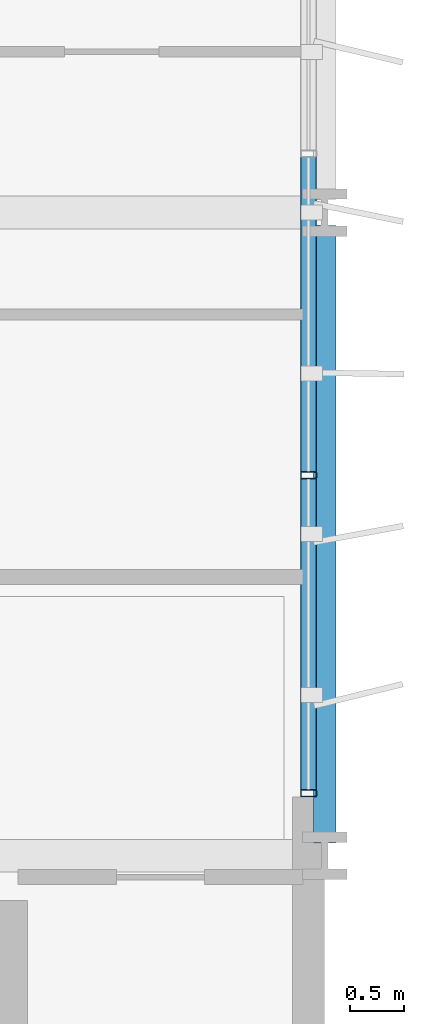
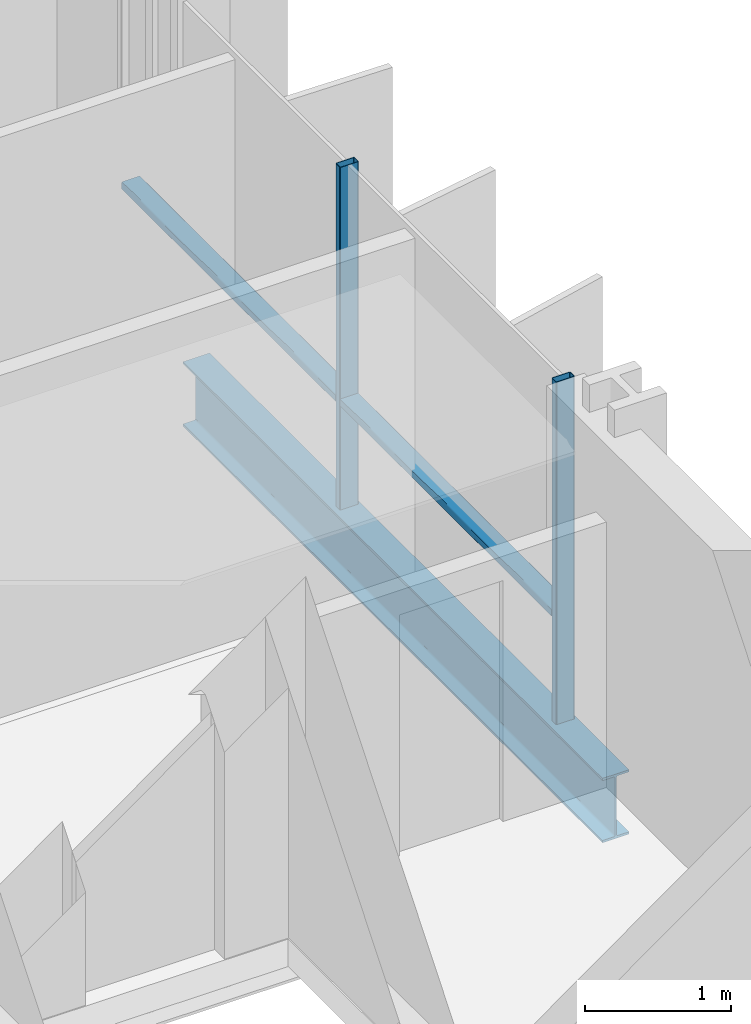
# One storey, part 15 of 38: 4 members, 1 beam, 1 element without a shape of its own.
"""IFC4 building model written with IfcOpenShell, lengths in metres."""

from ifc_helpers import new_model, si_unit, direction, frame, origin, origin_2d, place, context, subcontext, project, spatial, hollow_rectangle, i_section, extrude, material, layer, layer_set, material_profile, profile_set, type_object, element, aggregate, save


model = new_model("IFC4")

# Units and contexts
model_context = context("Model", 3, precision=1e-05, world=origin(), true_north=direction((0.0, 1.0)))
body_context = subcontext(model_context, "Body", "Model", "MODEL_VIEW")
ifc_project = project(units=[si_unit("LENGTHUNIT", "METRE"), si_unit("AREAUNIT", "SQUARE_METRE"), si_unit("VOLUMEUNIT", "CUBIC_METRE"), si_unit("PLANEANGLEUNIT", "RADIAN"), si_unit("MASSUNIT", "GRAM", prefix="KILO")], contexts=[model_context])

# Site, building, storey
site_placement = place(None, origin())
site = spatial("IfcSite", under=ifc_project, at=site_placement, CompositionType="ELEMENT")
building_placement = place(site_placement, origin())
building = spatial("IfcBuilding", under=site, at=building_placement, Name="Brevholm Reach", CompositionType="ELEMENT")
storey_placement = place(building_placement, frame((0.0, 0.0, 46.60009765625)))
storey = spatial("IfcBuildingStorey", under=building, at=storey_placement, Name="L12", CompositionType="ELEMENT", Elevation=46.60009765625)

# Beam
ifc_material_1 = material(Name="Structural Steel S355J2", Category="steel")
ifc_material_profile_1 = material_profile(ifc_material_1, i_section(OverallWidth=0.210693359375, OverallDepth=0.53955078125, WebThickness=0.01171875, FlangeThickness=0.018798828125, FilletRadius=0.0126953125, at=origin_2d()), Name="UKB 533x210x109")
ifc_profile_set_1 = profile_set([ifc_material_profile_1], Name="Structural Steel S355J2")
beam_type = type_object("IfcBeamType", Name="BM-SP539", PredefinedType="SPANDREL", material=ifc_profile_set_1)
beam_placement = place(storey_placement, frame((60.0, 10.1201171875, -0.499755859375), z_axis=(0.0, 1.0, 0.0), x_axis=(-1.0, 0.0, 0.0)))
element("IfcBeam", 1, at=beam_placement, inside=storey, type_object=beam_type, Name="L12 SP-01B Framing Beam", PredefinedType="SPANDREL", context=body_context, shape_type="SweptSolid", body=[
    extrude(i_section(OverallWidth=0.210693359375, OverallDepth=0.53955078125, WebThickness=0.01171875, FlangeThickness=0.018798828125, FilletRadius=0.0126953125, at=origin_2d()), origin(), (0.0, 0.0, 1.0), 5.759765625),
])

# Curtain wall, members
ifc_material_2 = material(Name="Dark Anodised Aluminium 6063-T6 and Solar-Control Glass", Category="aluminium")
ifc_layer = layer(ifc_material_2, 0.14990234375)
ifc_layer_set = layer_set([ifc_layer], Name="Dark Anodised Aluminium 6063-T6 and Solar-Control Glass")
curtain_wall_type = type_object("IfcCurtainWallType", Name="CW-01", PredefinedType="NOTDEFINED", material=ifc_layer_set)
curtain_wall_placement = place(storey_placement, origin())
curtain_wall = element("IfcCurtainWall", 2, at=curtain_wall_placement, inside=storey, type_object=curtain_wall_type, Name="L12 Curtain Wall CW-01", PredefinedType="NOTDEFINED")
ifc_material_3 = material(Name="Dark Anodised Aluminium 6063-T6", Category="aluminium")
ifc_material_profile_2 = material_profile(ifc_material_3, hollow_rectangle(XDim=0.06494140625, YDim=0.14990234375, WallThickness=0.0048828125, InnerFilletRadius=0.0048828125, OuterFilletRadius=0.010009765625, at=origin_2d()), Name="RHS 150x65x5")
ifc_profile_set_2 = profile_set([ifc_material_profile_2], Name="Dark Anodised Aluminium 6063-T6")
member_type_1 = type_object("IfcMemberType", Name="CWM-150", PredefinedType="MULLION", material=ifc_profile_set_2)
member_1_placement = place(storey_placement, frame((59.85009765625, 10.58251953125, 0.0), z_axis=(0.0, 0.0, 1.0), x_axis=(0.0, 1.0, 0.0)))
member_1 = element("IfcMember", 3, at=member_1_placement, type_object=member_type_1, Name="CM-150 Mullion 1", PredefinedType="MULLION", context=body_context, shape_type="SweptSolid", body=[
    extrude(hollow_rectangle(XDim=0.06494140625, YDim=0.14990234375, WallThickness=0.0048828125, InnerFilletRadius=0.0048828125, OuterFilletRadius=0.010009765625, at=origin_2d()), origin(), (0.0, 0.0, 1.0), 2.869873046875),
])
member_2_placement = place(storey_placement, frame((59.85009765625, 13.550048828125, 0.0), z_axis=(0.0, 0.0, 1.0), x_axis=(0.0, 1.0, 0.0)))
member_2 = element("IfcMember", 4, at=member_2_placement, type_object=member_type_1, Name="CM-150 Mullion 2", PredefinedType="MULLION", context=body_context, shape_type="SweptSolid", body=[
    extrude(hollow_rectangle(XDim=0.06494140625, YDim=0.14990234375, WallThickness=0.0048828125, InnerFilletRadius=0.0048828125, OuterFilletRadius=0.010009765625, at=origin_2d()), origin(), (0.0, 0.0, 1.0), 2.869873046875),
])
ifc_material_4 = material(Name="Dark Anodised Aluminium 6063-T6", Category="aluminium")
ifc_material_profile_3 = material_profile(ifc_material_4, hollow_rectangle(XDim=0.06494140625, YDim=0.14990234375, WallThickness=0.0048828125, InnerFilletRadius=0.0048828125, OuterFilletRadius=0.010009765625, at=origin_2d()), Name="RHS 150x65x5")
ifc_profile_set_3 = profile_set([ifc_material_profile_3], Name="Dark Anodised Aluminium 6063-T6")
member_type_2 = type_object("IfcMemberType", Name="CWT-150", PredefinedType="NOTDEFINED", material=ifc_profile_set_3)
member_3_placement = place(storey_placement, frame((59.85009765625, 10.614990234375, 0.89990234375), z_axis=(0.0, 1.0, 0.0), x_axis=(0.0, 0.0, 1.0)))
member_3 = element("IfcMember", 5, at=member_3_placement, type_object=member_type_2, Name="CT-150 Transom 1.1", ObjectType="TRANSOM", PredefinedType="USERDEFINED", context=body_context, shape_type="SweptSolid", body=[
    extrude(hollow_rectangle(XDim=0.06494140625, YDim=0.14990234375, WallThickness=0.0048828125, InnerFilletRadius=0.0048828125, OuterFilletRadius=0.010009765625, at=origin_2d()), origin(), (0.0, 0.0, 1.0), 2.902587890625),
])
member_4_placement = place(storey_placement, frame((59.85009765625, 13.58251953125, 0.89990234375), z_axis=(0.0, 1.0, 0.0), x_axis=(0.0, 0.0, 1.0)))
member_4 = element("IfcMember", 6, at=member_4_placement, type_object=member_type_2, Name="CT-150 Transom 2.1", ObjectType="TRANSOM", PredefinedType="USERDEFINED", context=body_context, shape_type="SweptSolid", body=[
    extrude(hollow_rectangle(XDim=0.06494140625, YDim=0.14990234375, WallThickness=0.0048828125, InnerFilletRadius=0.0048828125, OuterFilletRadius=0.010009765625, at=origin_2d()), origin(), (0.0, 0.0, 1.0), 2.93505859375),
])
aggregate(curtain_wall, [member_1, member_2, member_3, member_4])

save(model, "model.ifc")
